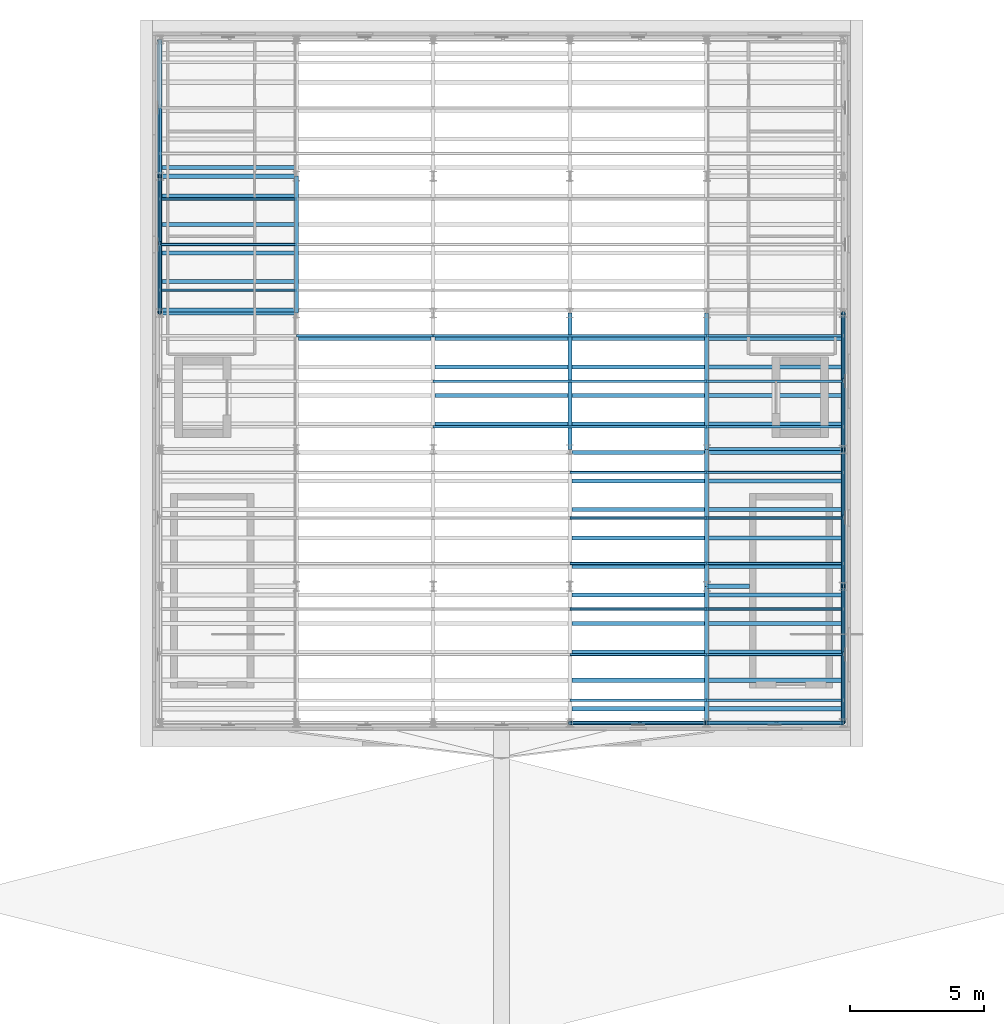
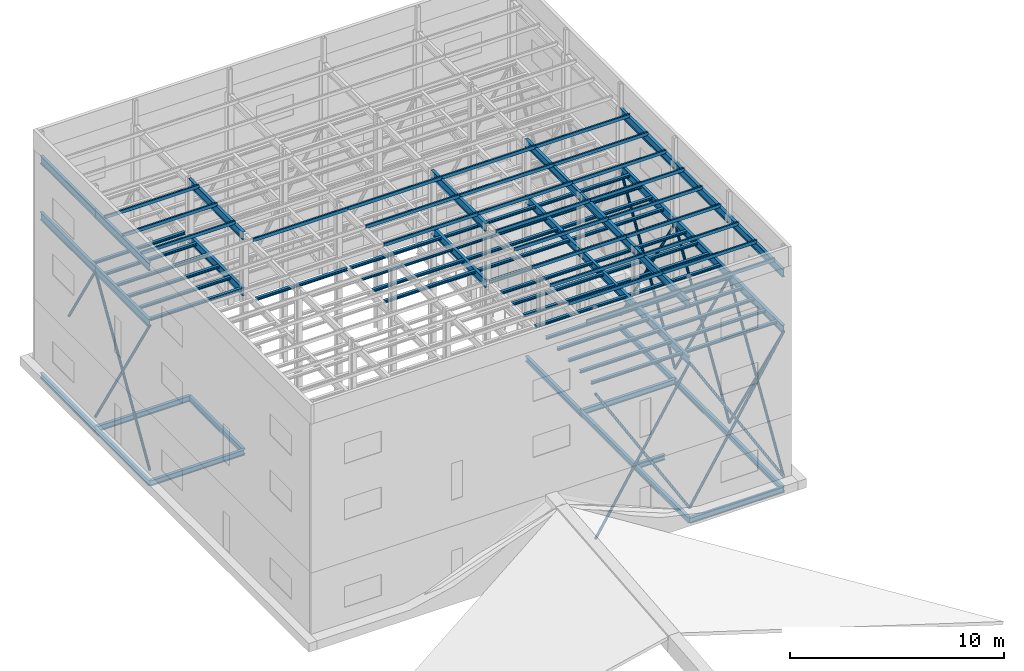
# One storey, part 4 of 22: 73 beams, 44 members.
"""IFC4 building model written with IfcOpenShell, lengths in metres."""

from ifc_helpers import new_model, si_unit, direction, frame, origin, origin_2d, place, context, subcontext, project, spatial, hollow_rectangle, hollow_circle, i_section, extrude, material, material_profile, profile_set, type_object, element, save


model = new_model("IFC4")

# Units and contexts
model_context = context("Model", 3, precision=1e-05, world=origin(), true_north=direction((0.0, 1.0)))
body_context = subcontext(model_context, "Body", "Model", "MODEL_VIEW")
ifc_project = project(units=[si_unit("LENGTHUNIT", "METRE"), si_unit("AREAUNIT", "SQUARE_METRE"), si_unit("VOLUMEUNIT", "CUBIC_METRE"), si_unit("PLANEANGLEUNIT", "RADIAN"), si_unit("MASSUNIT", "GRAM", prefix="KILO")], contexts=[model_context])

# Site, building, storey
site_placement = place(None, origin())
site = spatial("IfcSite", under=ifc_project, at=site_placement, CompositionType="ELEMENT")
building_placement = place(site_placement, origin())
building = spatial("IfcBuilding", under=site, at=building_placement, Name="Tide Square Theatres", CompositionType="ELEMENT")
storey_placement = place(building_placement, frame((0.0, 0.0, 24.0)))
storey = spatial("IfcBuildingStorey", under=building, at=storey_placement, Name="L05", CompositionType="ELEMENT", Elevation=24.0)

# Beams
ifc_material_1 = material(Name="Steel ASTM A572 Grade 50", Category="steel")
ifc_material_profile_1 = material_profile(ifc_material_1, i_section(OverallWidth=0.1650390625, OverallDepth=0.31005859375, WebThickness=0.005859375, FlangeThickness=0.009765625, FilletRadius=0.010009765625, at=origin_2d()))
ifc_profile_set_1 = profile_set([ifc_material_profile_1], Name="Steel ASTM A572 Grade 50")
beam_type_1 = type_object("IfcBeamType", Name="Steel beam W 310 x 38.7", PredefinedType="BEAM", material=ifc_profile_set_1)
for number, where, z_axis, x_axis, name in (
    (1, (71.27587890625, 71.544921875, -0.35498046875), (0.0, 1.0, 0.0), (-1.0, 0.0, 0.0), "Fly gallery beam"),
    (2, (71.27587890625, 76.634521484375, -0.35498046875), (0.0, 1.0, 0.0), (-1.0, 0.0, 0.0), "Fly gallery beam"),
    (3, (76.365478515625, 71.544921875, -0.35498046875), (0.0, 1.0, 0.0), (-1.0, 0.0, 0.0), "Fly gallery beam"),
    (4, (71.27587890625, 71.544921875, -0.35498046875), (1.0, 0.0, 0.0), (0.0, 1.0, 0.0), "Fly gallery cross beam"),
    (5, (71.27587890625, 76.634521484375, -0.35498046875), (1.0, 0.0, 0.0), (0.0, 1.0, 0.0), "Fly gallery cross beam"),
    (6, (91.634521484375, 56.27587890625, -0.35498046875), (0.0, 1.0, 0.0), (-1.0, 0.0, 0.0), "Fly gallery beam"),
    (7, (91.634521484375, 61.365478515625, -0.35498046875), (0.0, 1.0, 0.0), (-1.0, 0.0, 0.0), "Fly gallery beam"),
):
    element("IfcBeam", number, at=place(storey_placement, frame(where, z_axis=z_axis, x_axis=x_axis)), inside=storey, type_object=beam_type_1, Name=name, PredefinedType="BEAM", context=body_context, shape_type="SweptSolid", body=[
        extrude(i_section(OverallWidth=0.1650390625, OverallDepth=0.31005859375, WebThickness=0.005859375, FlangeThickness=0.009765625, FilletRadius=0.010009765625, at=origin_2d()), origin(), (0.0, 0.0, 1.0), 5.089599609375),
    ])
beam_1_placement = place(storey_placement, frame((91.634521484375, 66.455078125, -0.35498046875), z_axis=(0.0, 1.0, 0.0), x_axis=(-1.0, 0.0, 0.0)))
element("IfcBeam", 8, at=beam_1_placement, inside=storey, type_object=beam_type_1, Name="Fly gallery beam", PredefinedType="BEAM", context=body_context, shape_type="SweptSolid", body=[
    extrude(i_section(OverallWidth=0.1650390625, OverallDepth=0.31005859375, WebThickness=0.005859375, FlangeThickness=0.009765625, FilletRadius=0.010009765625, at=origin_2d()), origin(), (0.0, 0.0, 1.0), 5.08984375),
])
for number, where, z_axis, x_axis, name in (
    (9, (96.72412109375, 56.27587890625, -0.35498046875), (0.0, 1.0, 0.0), (-1.0, 0.0, 0.0), "Fly gallery beam"),
    (10, (96.72412109375, 61.365478515625, -0.35498046875), (0.0, 1.0, 0.0), (-1.0, 0.0, 0.0), "Fly gallery beam"),
):
    element("IfcBeam", number, at=place(storey_placement, frame(where, z_axis=z_axis, x_axis=x_axis)), inside=storey, type_object=beam_type_1, Name=name, PredefinedType="BEAM", context=body_context, shape_type="SweptSolid", body=[
        extrude(i_section(OverallWidth=0.1650390625, OverallDepth=0.31005859375, WebThickness=0.005859375, FlangeThickness=0.009765625, FilletRadius=0.010009765625, at=origin_2d()), origin(), (0.0, 0.0, 1.0), 5.089599609375),
    ])
beam_2_placement = place(storey_placement, frame((96.72412109375, 66.455078125, -0.35498046875), z_axis=(0.0, 1.0, 0.0), x_axis=(-1.0, 0.0, 0.0)))
element("IfcBeam", 11, at=beam_2_placement, inside=storey, type_object=beam_type_1, Name="Fly gallery beam", PredefinedType="BEAM", context=body_context, shape_type="SweptSolid", body=[
    extrude(i_section(OverallWidth=0.1650390625, OverallDepth=0.31005859375, WebThickness=0.005859375, FlangeThickness=0.009765625, FilletRadius=0.010009765625, at=origin_2d()), origin(), (0.0, 0.0, 1.0), 5.08984375),
])
beam_3_placement = place(storey_placement, frame((91.634521484375, 56.27587890625, -0.35498046875), z_axis=(1.0, 0.0, 0.0), x_axis=(0.0, 1.0, 0.0)))
element("IfcBeam", 12, at=beam_3_placement, inside=storey, type_object=beam_type_1, Name="Fly gallery cross beam", PredefinedType="BEAM", context=body_context, shape_type="SweptSolid", body=[
    extrude(i_section(OverallWidth=0.1650390625, OverallDepth=0.31005859375, WebThickness=0.005859375, FlangeThickness=0.009765625, FilletRadius=0.010009765625, at=origin_2d()), origin(), (0.0, 0.0, 1.0), 5.089599609375),
])
beam_4_placement = place(storey_placement, frame((91.634521484375, 61.365478515625, -0.35498046875), z_axis=(1.0, 0.0, 0.0), x_axis=(0.0, 1.0, 0.0)))
element("IfcBeam", 13, at=beam_4_placement, inside=storey, type_object=beam_type_1, Name="Fly gallery cross beam", PredefinedType="BEAM", context=body_context, shape_type="SweptSolid", body=[
    extrude(i_section(OverallWidth=0.1650390625, OverallDepth=0.31005859375, WebThickness=0.005859375, FlangeThickness=0.009765625, FilletRadius=0.010009765625, at=origin_2d()), origin(), (0.0, 0.0, 1.0), 1.589599609375),
])
beam_5_placement = place(storey_placement, frame((91.634521484375, 66.455078125, -0.35498046875), z_axis=(1.0, 0.0, 0.0), x_axis=(0.0, 1.0, 0.0)))
element("IfcBeam", 14, at=beam_5_placement, inside=storey, type_object=beam_type_1, Name="Fly gallery cross beam", PredefinedType="BEAM", context=body_context, shape_type="SweptSolid", body=[
    extrude(i_section(OverallWidth=0.1650390625, OverallDepth=0.31005859375, WebThickness=0.005859375, FlangeThickness=0.009765625, FilletRadius=0.010009765625, at=origin_2d()), origin(), (0.0, 0.0, 1.0), 5.089599609375),
])
ifc_material_2 = material(Name="Steel ASTM A572 Grade 50", Category="steel")
ifc_material_profile_2 = material_profile(ifc_material_2, i_section(OverallWidth=0.152099609375, OverallDepth=0.449951171875, WebThickness=0.007568359375, FlangeThickness=0.0107421875, FilletRadius=0.011962890625, at=origin_2d()))
ifc_profile_set_2 = profile_set([ifc_material_profile_2], Name="Steel ASTM A572 Grade 50")
beam_type_2 = type_object("IfcBeamType", Name="Steel beam W 460 x 52.0", PredefinedType="BEAM", material=ifc_profile_set_2)
for number, where, z_axis, x_axis, name in (
    (15, (71.27587890625, 71.544921875, 8.77490234375), (0.0, 1.0, 0.0), (-1.0, 0.0, 0.0), "Gridiron beam"),
    (16, (71.27587890625, 76.634521484375, 8.77490234375), (0.0, 1.0, 0.0), (-1.0, 0.0, 0.0), "Gridiron beam"),
    (17, (76.365478515625, 71.544921875, 8.77490234375), (0.0, 1.0, 0.0), (-1.0, 0.0, 0.0), "Gridiron beam"),
):
    element("IfcBeam", number, at=place(storey_placement, frame(where, z_axis=z_axis, x_axis=x_axis)), inside=storey, type_object=beam_type_2, Name=name, PredefinedType="BEAM", context=body_context, shape_type="SweptSolid", body=[
        extrude(i_section(OverallWidth=0.152099609375, OverallDepth=0.449951171875, WebThickness=0.007568359375, FlangeThickness=0.0107421875, FilletRadius=0.011962890625, at=origin_2d()), origin(), (0.0, 0.0, 1.0), 5.089599609375),
    ])
beam_6_placement = place(storey_placement, frame((86.544921875, 66.455078125, 8.77490234375), z_axis=(0.0, 1.0, 0.0), x_axis=(-1.0, 0.0, 0.0)))
element("IfcBeam", 18, at=beam_6_placement, inside=storey, type_object=beam_type_2, Name="Gridiron beam", PredefinedType="BEAM", context=body_context, shape_type="SweptSolid", body=[
    extrude(i_section(OverallWidth=0.152099609375, OverallDepth=0.449951171875, WebThickness=0.007568359375, FlangeThickness=0.0107421875, FilletRadius=0.011962890625, at=origin_2d()), origin(), (0.0, 0.0, 1.0), 5.08984375),
])
for number, where, z_axis, x_axis, name in (
    (19, (91.634521484375, 56.27587890625, 8.77490234375), (0.0, 1.0, 0.0), (-1.0, 0.0, 0.0), "Gridiron beam"),
    (20, (91.634521484375, 61.365478515625, 8.77490234375), (0.0, 1.0, 0.0), (-1.0, 0.0, 0.0), "Gridiron beam"),
):
    element("IfcBeam", number, at=place(storey_placement, frame(where, z_axis=z_axis, x_axis=x_axis)), inside=storey, type_object=beam_type_2, Name=name, PredefinedType="BEAM", context=body_context, shape_type="SweptSolid", body=[
        extrude(i_section(OverallWidth=0.152099609375, OverallDepth=0.449951171875, WebThickness=0.007568359375, FlangeThickness=0.0107421875, FilletRadius=0.011962890625, at=origin_2d()), origin(), (0.0, 0.0, 1.0), 5.089599609375),
    ])
beam_7_placement = place(storey_placement, frame((91.634521484375, 66.455078125, 8.77490234375), z_axis=(0.0, 1.0, 0.0), x_axis=(-1.0, 0.0, 0.0)))
element("IfcBeam", 21, at=beam_7_placement, inside=storey, type_object=beam_type_2, Name="Gridiron beam", PredefinedType="BEAM", context=body_context, shape_type="SweptSolid", body=[
    extrude(i_section(OverallWidth=0.152099609375, OverallDepth=0.449951171875, WebThickness=0.007568359375, FlangeThickness=0.0107421875, FilletRadius=0.011962890625, at=origin_2d()), origin(), (0.0, 0.0, 1.0), 5.08984375),
])
for number, where, z_axis, x_axis, name in (
    (22, (96.72412109375, 56.27587890625, 8.77490234375), (0.0, 1.0, 0.0), (-1.0, 0.0, 0.0), "Gridiron beam"),
    (23, (96.72412109375, 61.365478515625, 8.77490234375), (0.0, 1.0, 0.0), (-1.0, 0.0, 0.0), "Gridiron beam"),
):
    element("IfcBeam", number, at=place(storey_placement, frame(where, z_axis=z_axis, x_axis=x_axis)), inside=storey, type_object=beam_type_2, Name=name, PredefinedType="BEAM", context=body_context, shape_type="SweptSolid", body=[
        extrude(i_section(OverallWidth=0.152099609375, OverallDepth=0.449951171875, WebThickness=0.007568359375, FlangeThickness=0.0107421875, FilletRadius=0.011962890625, at=origin_2d()), origin(), (0.0, 0.0, 1.0), 5.089599609375),
    ])
beam_8_placement = place(storey_placement, frame((96.72412109375, 66.455078125, 8.77490234375), z_axis=(0.0, 1.0, 0.0), x_axis=(-1.0, 0.0, 0.0)))
element("IfcBeam", 24, at=beam_8_placement, inside=storey, type_object=beam_type_2, Name="Gridiron beam", PredefinedType="BEAM", context=body_context, shape_type="SweptSolid", body=[
    extrude(i_section(OverallWidth=0.152099609375, OverallDepth=0.449951171875, WebThickness=0.007568359375, FlangeThickness=0.0107421875, FilletRadius=0.011962890625, at=origin_2d()), origin(), (0.0, 0.0, 1.0), 5.08984375),
])
for number, where, z_axis, x_axis, name in (
    (25, (71.27587890625, 71.544921875, 11.985107421875), (0.0, 1.0, 0.0), (-1.0, 0.0, 0.0), "Tower roof beam"),
    (26, (71.27587890625, 76.634521484375, 11.985107421875), (0.0, 1.0, 0.0), (-1.0, 0.0, 0.0), "Tower roof beam"),
    (27, (76.365478515625, 71.544921875, 11.985107421875), (0.0, 1.0, 0.0), (-1.0, 0.0, 0.0), "Tower roof beam"),
):
    element("IfcBeam", number, at=place(storey_placement, frame(where, z_axis=z_axis, x_axis=x_axis)), inside=storey, type_object=beam_type_2, Name=name, PredefinedType="BEAM", context=body_context, shape_type="SweptSolid", body=[
        extrude(i_section(OverallWidth=0.152099609375, OverallDepth=0.449951171875, WebThickness=0.007568359375, FlangeThickness=0.0107421875, FilletRadius=0.011962890625, at=origin_2d()), origin(), (0.0, 0.0, 1.0), 5.089599609375),
    ])
beam_9_placement = place(storey_placement, frame((86.544921875, 66.455078125, 11.985107421875), z_axis=(0.0, 1.0, 0.0), x_axis=(-1.0, 0.0, 0.0)))
element("IfcBeam", 28, at=beam_9_placement, inside=storey, type_object=beam_type_2, Name="Tower roof beam", PredefinedType="BEAM", context=body_context, shape_type="SweptSolid", body=[
    extrude(i_section(OverallWidth=0.152099609375, OverallDepth=0.449951171875, WebThickness=0.007568359375, FlangeThickness=0.0107421875, FilletRadius=0.011962890625, at=origin_2d()), origin(), (0.0, 0.0, 1.0), 5.08984375),
])
for number, where, z_axis, x_axis, name in (
    (29, (91.634521484375, 56.27587890625, 11.985107421875), (0.0, 1.0, 0.0), (-1.0, 0.0, 0.0), "Tower roof beam"),
    (30, (91.634521484375, 61.365478515625, 11.985107421875), (0.0, 1.0, 0.0), (-1.0, 0.0, 0.0), "Tower roof beam"),
):
    element("IfcBeam", number, at=place(storey_placement, frame(where, z_axis=z_axis, x_axis=x_axis)), inside=storey, type_object=beam_type_2, Name=name, PredefinedType="BEAM", context=body_context, shape_type="SweptSolid", body=[
        extrude(i_section(OverallWidth=0.152099609375, OverallDepth=0.449951171875, WebThickness=0.007568359375, FlangeThickness=0.0107421875, FilletRadius=0.011962890625, at=origin_2d()), origin(), (0.0, 0.0, 1.0), 5.089599609375),
    ])
beam_10_placement = place(storey_placement, frame((91.634521484375, 66.455078125, 11.985107421875), z_axis=(0.0, 1.0, 0.0), x_axis=(-1.0, 0.0, 0.0)))
element("IfcBeam", 31, at=beam_10_placement, inside=storey, type_object=beam_type_2, Name="Tower roof beam", PredefinedType="BEAM", context=body_context, shape_type="SweptSolid", body=[
    extrude(i_section(OverallWidth=0.152099609375, OverallDepth=0.449951171875, WebThickness=0.007568359375, FlangeThickness=0.0107421875, FilletRadius=0.011962890625, at=origin_2d()), origin(), (0.0, 0.0, 1.0), 5.08984375),
])
for number, where, z_axis, x_axis, name in (
    (32, (96.72412109375, 56.27587890625, 11.985107421875), (0.0, 1.0, 0.0), (-1.0, 0.0, 0.0), "Tower roof beam"),
    (33, (96.72412109375, 61.365478515625, 11.985107421875), (0.0, 1.0, 0.0), (-1.0, 0.0, 0.0), "Tower roof beam"),
):
    element("IfcBeam", number, at=place(storey_placement, frame(where, z_axis=z_axis, x_axis=x_axis)), inside=storey, type_object=beam_type_2, Name=name, PredefinedType="BEAM", context=body_context, shape_type="SweptSolid", body=[
        extrude(i_section(OverallWidth=0.152099609375, OverallDepth=0.449951171875, WebThickness=0.007568359375, FlangeThickness=0.0107421875, FilletRadius=0.011962890625, at=origin_2d()), origin(), (0.0, 0.0, 1.0), 5.089599609375),
    ])
beam_11_placement = place(storey_placement, frame((96.72412109375, 66.455078125, 11.985107421875), z_axis=(0.0, 1.0, 0.0), x_axis=(-1.0, 0.0, 0.0)))
element("IfcBeam", 34, at=beam_11_placement, inside=storey, type_object=beam_type_2, Name="Tower roof beam", PredefinedType="BEAM", context=body_context, shape_type="SweptSolid", body=[
    extrude(i_section(OverallWidth=0.152099609375, OverallDepth=0.449951171875, WebThickness=0.007568359375, FlangeThickness=0.0107421875, FilletRadius=0.011962890625, at=origin_2d()), origin(), (0.0, 0.0, 1.0), 5.08984375),
])

# Members
ifc_material_3 = material(Name="Steel ASTM A500 Grade C", Category="steel")
ifc_material_profile_3 = material_profile(ifc_material_3, hollow_circle(Radius=0.070556640625, WallThickness=0.00634765625, at=origin_2d()))
ifc_profile_set_3 = profile_set([ifc_material_profile_3], Name="Steel ASTM A500 Grade C")
member_type_1 = type_object("IfcMemberType", Name="Steel brace CHS 141.3 x 6.4", PredefinedType="BRACE", material=ifc_profile_set_3)
member_1_placement = place(storey_placement, frame((86.544921875, 56.27587890625, 0.35009765625), z_axis=(0.522757852617, 0.0, 0.852481218284), x_axis=(0.0, 1.0, 0.0)))
element("IfcMember", 35, at=member_1_placement, inside=storey, type_object=member_type_1, Name="Fly tower brace", PredefinedType="BRACE", context=body_context, shape_type="SweptSolid", body=[
    extrude(hollow_circle(Radius=0.070556640625, WallThickness=0.00634765625, at=origin_2d()), origin(), (0.0, 0.0, 1.0), 9.736083984375),
])
member_2_placement = place(storey_placement, frame((91.634521484375, 56.27587890625, 0.35009765625), z_axis=(-0.522761523551, 0.0, 0.852478967186), x_axis=(0.0, -1.0, 0.0)))
element("IfcMember", 36, at=member_2_placement, inside=storey, type_object=member_type_1, Name="Fly tower brace", PredefinedType="BRACE", context=body_context, shape_type="SweptSolid", body=[
    extrude(hollow_circle(Radius=0.070556640625, WallThickness=0.00634765625, at=origin_2d()), origin(), (0.0, 0.0, 1.0), 4.76416015625),
])
member_3_placement = place(storey_placement, frame((89.03515625, 56.27587890625, 4.588623046875), z_axis=(-0.522724280464, 0.0, 0.852501804463), x_axis=(0.0, -1.0, 0.0)))
element("IfcMember", 37, at=member_3_placement, inside=storey, type_object=member_type_1, Name="Fly tower brace", PredefinedType="BRACE", context=body_context, shape_type="SweptSolid", body=[
    extrude(hollow_circle(Radius=0.070556640625, WallThickness=0.00634765625, at=origin_2d()), origin(), (0.0, 0.0, 1.0), 4.763916015625),
])
member_4_placement = place(storey_placement, frame((91.634521484375, 56.27587890625, 0.35009765625), z_axis=(0.522757852617, 0.0, 0.852481218284), x_axis=(0.0, 1.0, 0.0)))
element("IfcMember", 38, at=member_4_placement, inside=storey, type_object=member_type_1, Name="Fly tower brace", PredefinedType="BRACE", context=body_context, shape_type="SweptSolid", body=[
    extrude(hollow_circle(Radius=0.070556640625, WallThickness=0.00634765625, at=origin_2d()), origin(), (0.0, 0.0, 1.0), 9.736083984375),
])
member_5_placement = place(storey_placement, frame((96.72412109375, 56.27587890625, 0.35009765625), z_axis=(-0.522761523551, 0.0, 0.852478967186), x_axis=(0.0, -1.0, 0.0)))
element("IfcMember", 39, at=member_5_placement, inside=storey, type_object=member_type_1, Name="Fly tower brace", PredefinedType="BRACE", context=body_context, shape_type="SweptSolid", body=[
    extrude(hollow_circle(Radius=0.070556640625, WallThickness=0.00634765625, at=origin_2d()), origin(), (0.0, 0.0, 1.0), 4.76416015625),
])
member_6_placement = place(storey_placement, frame((94.124755859375, 56.27587890625, 4.588623046875), z_axis=(-0.522724280464, 0.0, 0.852501804463), x_axis=(0.0, -1.0, 0.0)))
element("IfcMember", 40, at=member_6_placement, inside=storey, type_object=member_type_1, Name="Fly tower brace", PredefinedType="BRACE", context=body_context, shape_type="SweptSolid", body=[
    extrude(hollow_circle(Radius=0.070556640625, WallThickness=0.00634765625, at=origin_2d()), origin(), (0.0, 0.0, 1.0), 4.763916015625),
])
member_7_placement = place(storey_placement, frame((71.27587890625, 71.544921875, 0.35009765625), z_axis=(0.0, 0.522757852617, 0.852481218284), x_axis=(-1.0, 0.0, 0.0)))
element("IfcMember", 41, at=member_7_placement, inside=storey, type_object=member_type_1, Name="Fly tower brace", PredefinedType="BRACE", context=body_context, shape_type="SweptSolid", body=[
    extrude(hollow_circle(Radius=0.070556640625, WallThickness=0.00634765625, at=origin_2d()), origin(), (0.0, 0.0, 1.0), 9.736083984375),
])
member_8_placement = place(storey_placement, frame((71.27587890625, 76.634521484375, 0.35009765625), z_axis=(0.0, -0.522761523551, 0.852478967186), x_axis=(1.0, 0.0, 0.0)))
element("IfcMember", 42, at=member_8_placement, inside=storey, type_object=member_type_1, Name="Fly tower brace", PredefinedType="BRACE", context=body_context, shape_type="SweptSolid", body=[
    extrude(hollow_circle(Radius=0.070556640625, WallThickness=0.00634765625, at=origin_2d()), origin(), (0.0, 0.0, 1.0), 4.76416015625),
])
for number, where, z_axis, x_axis, name in (
    (43, (71.27587890625, 74.03515625, 4.588623046875), (0.0, -0.522724280464, 0.852501804463), (1.0, 0.0, 0.0), "Fly tower brace"),
    (44, (71.27587890625, 79.124755859375, 4.588623046875), (0.0, -0.522724280464, 0.852501804463), (1.0, 0.0, 0.0), "Fly tower brace"),
):
    element("IfcMember", number, at=place(storey_placement, frame(where, z_axis=z_axis, x_axis=x_axis)), inside=storey, type_object=member_type_1, Name=name, PredefinedType="BRACE", context=body_context, shape_type="SweptSolid", body=[
        extrude(hollow_circle(Radius=0.070556640625, WallThickness=0.00634765625, at=origin_2d()), origin(), (0.0, 0.0, 1.0), 4.763916015625),
    ])
member_9_placement = place(storey_placement, frame((96.72412109375, 56.27587890625, 0.35009765625), z_axis=(0.0, 0.522757852617, 0.852481218284), x_axis=(-1.0, 0.0, 0.0)))
element("IfcMember", 45, at=member_9_placement, inside=storey, type_object=member_type_1, Name="Fly tower brace", PredefinedType="BRACE", context=body_context, shape_type="SweptSolid", body=[
    extrude(hollow_circle(Radius=0.070556640625, WallThickness=0.00634765625, at=origin_2d()), origin(), (0.0, 0.0, 1.0), 9.736083984375),
])
member_10_placement = place(storey_placement, frame((96.72412109375, 61.365478515625, 0.35009765625), z_axis=(0.0, -0.522724280464, 0.852501804463), x_axis=(1.0, 0.0, 0.0)))
element("IfcMember", 46, at=member_10_placement, inside=storey, type_object=member_type_1, Name="Fly tower brace", PredefinedType="BRACE", context=body_context, shape_type="SweptSolid", body=[
    extrude(hollow_circle(Radius=0.070556640625, WallThickness=0.00634765625, at=origin_2d()), origin(), (0.0, 0.0, 1.0), 4.763916015625),
])
member_11_placement = place(storey_placement, frame((96.72412109375, 58.766357421875, 4.588623046875), z_axis=(0.0, -0.522761523551, 0.852478967186), x_axis=(1.0, 0.0, 0.0)))
element("IfcMember", 47, at=member_11_placement, inside=storey, type_object=member_type_1, Name="Fly tower brace", PredefinedType="BRACE", context=body_context, shape_type="SweptSolid", body=[
    extrude(hollow_circle(Radius=0.070556640625, WallThickness=0.00634765625, at=origin_2d()), origin(), (0.0, 0.0, 1.0), 4.76416015625),
])
member_12_placement = place(storey_placement, frame((96.72412109375, 61.365478515625, 0.35009765625), z_axis=(0.0, 0.522757852617, 0.852481218284), x_axis=(-1.0, 0.0, 0.0)))
element("IfcMember", 48, at=member_12_placement, inside=storey, type_object=member_type_1, Name="Fly tower brace", PredefinedType="BRACE", context=body_context, shape_type="SweptSolid", body=[
    extrude(hollow_circle(Radius=0.070556640625, WallThickness=0.00634765625, at=origin_2d()), origin(), (0.0, 0.0, 1.0), 9.736083984375),
])
member_13_placement = place(storey_placement, frame((96.72412109375, 66.455078125, 0.35009765625), z_axis=(0.0, -0.522724280464, 0.852501804463), x_axis=(1.0, 0.0, 0.0)))
element("IfcMember", 49, at=member_13_placement, inside=storey, type_object=member_type_1, Name="Fly tower brace", PredefinedType="BRACE", context=body_context, shape_type="SweptSolid", body=[
    extrude(hollow_circle(Radius=0.070556640625, WallThickness=0.00634765625, at=origin_2d()), origin(), (0.0, 0.0, 1.0), 4.763916015625),
])
member_14_placement = place(storey_placement, frame((96.72412109375, 63.85595703125, 4.588623046875), z_axis=(0.0, -0.522761523551, 0.852478967186), x_axis=(1.0, 0.0, 0.0)))
element("IfcMember", 50, at=member_14_placement, inside=storey, type_object=member_type_1, Name="Fly tower brace", PredefinedType="BRACE", context=body_context, shape_type="SweptSolid", body=[
    extrude(hollow_circle(Radius=0.070556640625, WallThickness=0.00634765625, at=origin_2d()), origin(), (0.0, 0.0, 1.0), 4.76416015625),
])
member_15_placement = place(storey_placement, frame((96.72412109375, 66.455078125, 0.35009765625), z_axis=(0.0, 0.522776075542, 0.852470043368), x_axis=(-1.0, 0.0, 0.0)))
element("IfcMember", 51, at=member_15_placement, inside=storey, type_object=member_type_1, Name="Fly tower brace", PredefinedType="BRACE", context=body_context, shape_type="SweptSolid", body=[
    extrude(hollow_circle(Radius=0.070556640625, WallThickness=0.00634765625, at=origin_2d()), origin(), (0.0, 0.0, 1.0), 9.736083984375),
])
for number, where, z_axis, x_axis, name in (
    (52, (96.72412109375, 71.544921875, 0.35009765625), (0.0, -0.522761523551, 0.852478967186), (1.0, 0.0, 0.0), "Fly tower brace"),
    (53, (96.72412109375, 68.945556640625, 4.588623046875), (0.0, -0.522761523551, 0.852478967186), (1.0, 0.0, 0.0), "Fly tower brace"),
):
    element("IfcMember", number, at=place(storey_placement, frame(where, z_axis=z_axis, x_axis=x_axis)), inside=storey, type_object=member_type_1, Name=name, PredefinedType="BRACE", context=body_context, shape_type="SweptSolid", body=[
        extrude(hollow_circle(Radius=0.070556640625, WallThickness=0.00634765625, at=origin_2d()), origin(), (0.0, 0.0, 1.0), 4.76416015625),
    ])

# Beams
ifc_material_4 = material(Name="Steel ASTM A572 Grade 50", Category="steel")
ifc_material_profile_4 = material_profile(ifc_material_4, i_section(OverallWidth=0.152099609375, OverallDepth=0.152099609375, WebThickness=0.005859375, FlangeThickness=0.006591796875, FilletRadius=0.010009765625, at=origin_2d()))
ifc_profile_set_4 = profile_set([ifc_material_profile_4], Name="Steel ASTM A572 Grade 50")
beam_type_3 = type_object("IfcBeamType", Name="Steel joist W 150 x 22.5", PredefinedType="JOIST", material=ifc_profile_set_4)
for number, where, z_axis, x_axis, name in (
    (54, (71.35205078125, 71.65087890625, 8.924072265625), (1.0, 0.0, 0.0), (0.0, 1.0, 0.0), "Gridiron joist"),
    (55, (71.35205078125, 72.711181640625, 8.924072265625), (1.0, 0.0, 0.0), (0.0, 1.0, 0.0), "Gridiron joist"),
    (56, (71.35205078125, 73.771484375, 8.924072265625), (1.0, 0.0, 0.0), (0.0, 1.0, 0.0), "Gridiron joist"),
    (57, (71.35205078125, 74.831787109375, 8.924072265625), (1.0, 0.0, 0.0), (0.0, 1.0, 0.0), "Gridiron joist"),
    (58, (71.35205078125, 75.89208984375, 8.924072265625), (1.0, 0.0, 0.0), (0.0, 1.0, 0.0), "Gridiron joist"),
    (59, (71.35205078125, 76.952392578125, 8.924072265625), (1.0, 0.0, 0.0), (0.0, 1.0, 0.0), "Gridiron joist"),
    (60, (76.441650390625, 70.590576171875, 8.924072265625), (1.0, 0.0, 0.0), (0.0, 1.0, 0.0), "Gridiron joist"),
    (61, (81.53125, 67.409423828125, 8.924072265625), (1.0, 0.0, 0.0), (0.0, 1.0, 0.0), "Gridiron joist"),
    (62, (81.53125, 68.4697265625, 8.924072265625), (1.0, 0.0, 0.0), (0.0, 1.0, 0.0), "Gridiron joist"),
    (63, (81.53125, 69.5302734375, 8.924072265625), (1.0, 0.0, 0.0), (0.0, 1.0, 0.0), "Gridiron joist"),
    (64, (81.53125, 70.590576171875, 8.924072265625), (1.0, 0.0, 0.0), (0.0, 1.0, 0.0), "Gridiron joist"),
    (65, (86.620849609375, 56.80615234375, 8.924072265625), (1.0, 0.0, 0.0), (0.0, 1.0, 0.0), "Gridiron joist"),
    (66, (86.620849609375, 57.866455078125, 8.924072265625), (1.0, 0.0, 0.0), (0.0, 1.0, 0.0), "Gridiron joist"),
    (67, (86.620849609375, 58.9267578125, 8.924072265625), (1.0, 0.0, 0.0), (0.0, 1.0, 0.0), "Gridiron joist"),
    (68, (86.620849609375, 59.9873046875, 8.924072265625), (1.0, 0.0, 0.0), (0.0, 1.0, 0.0), "Gridiron joist"),
    (69, (86.620849609375, 61.047607421875, 8.924072265625), (1.0, 0.0, 0.0), (0.0, 1.0, 0.0), "Gridiron joist"),
    (70, (86.620849609375, 62.10791015625, 8.924072265625), (1.0, 0.0, 0.0), (0.0, 1.0, 0.0), "Gridiron joist"),
    (71, (86.620849609375, 63.168212890625, 8.924072265625), (1.0, 0.0, 0.0), (0.0, 1.0, 0.0), "Gridiron joist"),
    (72, (86.620849609375, 64.228515625, 8.924072265625), (1.0, 0.0, 0.0), (0.0, 1.0, 0.0), "Gridiron joist"),
    (73, (86.620849609375, 65.288818359375, 8.924072265625), (1.0, 0.0, 0.0), (0.0, 1.0, 0.0), "Gridiron joist"),
    (74, (86.620849609375, 66.34912109375, 8.924072265625), (1.0, 0.0, 0.0), (0.0, 1.0, 0.0), "Gridiron joist"),
    (75, (86.620849609375, 67.409423828125, 8.924072265625), (1.0, 0.0, 0.0), (0.0, 1.0, 0.0), "Gridiron joist"),
    (76, (86.620849609375, 68.4697265625, 8.924072265625), (1.0, 0.0, 0.0), (0.0, 1.0, 0.0), "Gridiron joist"),
    (77, (86.620849609375, 69.5302734375, 8.924072265625), (1.0, 0.0, 0.0), (0.0, 1.0, 0.0), "Gridiron joist"),
    (78, (86.620849609375, 70.590576171875, 8.924072265625), (1.0, 0.0, 0.0), (0.0, 1.0, 0.0), "Gridiron joist"),
    (79, (91.71044921875, 56.80615234375, 8.924072265625), (1.0, 0.0, 0.0), (0.0, 1.0, 0.0), "Gridiron joist"),
    (80, (91.71044921875, 57.866455078125, 8.924072265625), (1.0, 0.0, 0.0), (0.0, 1.0, 0.0), "Gridiron joist"),
    (81, (91.71044921875, 58.9267578125, 8.924072265625), (1.0, 0.0, 0.0), (0.0, 1.0, 0.0), "Gridiron joist"),
    (82, (91.71044921875, 59.9873046875, 8.924072265625), (1.0, 0.0, 0.0), (0.0, 1.0, 0.0), "Gridiron joist"),
    (83, (91.71044921875, 61.047607421875, 8.924072265625), (1.0, 0.0, 0.0), (0.0, 1.0, 0.0), "Gridiron joist"),
    (84, (91.71044921875, 62.10791015625, 8.924072265625), (1.0, 0.0, 0.0), (0.0, 1.0, 0.0), "Gridiron joist"),
    (85, (91.71044921875, 63.168212890625, 8.924072265625), (1.0, 0.0, 0.0), (0.0, 1.0, 0.0), "Gridiron joist"),
    (86, (91.71044921875, 64.228515625, 8.924072265625), (1.0, 0.0, 0.0), (0.0, 1.0, 0.0), "Gridiron joist"),
    (87, (91.71044921875, 65.288818359375, 8.924072265625), (1.0, 0.0, 0.0), (0.0, 1.0, 0.0), "Gridiron joist"),
    (88, (91.71044921875, 66.34912109375, 8.924072265625), (1.0, 0.0, 0.0), (0.0, 1.0, 0.0), "Gridiron joist"),
    (89, (91.71044921875, 67.409423828125, 8.924072265625), (1.0, 0.0, 0.0), (0.0, 1.0, 0.0), "Gridiron joist"),
    (90, (91.71044921875, 68.4697265625, 8.924072265625), (1.0, 0.0, 0.0), (0.0, 1.0, 0.0), "Gridiron joist"),
    (91, (91.71044921875, 69.5302734375, 8.924072265625), (1.0, 0.0, 0.0), (0.0, 1.0, 0.0), "Gridiron joist"),
    (92, (91.71044921875, 70.590576171875, 8.924072265625), (1.0, 0.0, 0.0), (0.0, 1.0, 0.0), "Gridiron joist"),
):
    element("IfcBeam", number, at=place(storey_placement, frame(where, z_axis=z_axis, x_axis=x_axis)), inside=storey, type_object=beam_type_3, Name=name, PredefinedType="JOIST", context=body_context, shape_type="SweptSolid", body=[
        extrude(i_section(OverallWidth=0.152099609375, OverallDepth=0.152099609375, WebThickness=0.005859375, FlangeThickness=0.006591796875, FilletRadius=0.010009765625, at=origin_2d()), origin(), (0.0, 0.0, 1.0), 4.9375),
    ])

# Members
ifc_material_5 = material(Name="Steel ASTM A500 Grade C", Category="steel")
ifc_material_profile_5 = material_profile(ifc_material_5, hollow_rectangle(XDim=0.10009765625, YDim=0.199951171875, WallThickness=0.008056640625, InnerFilletRadius=0.008056640625, OuterFilletRadius=0.01611328125, at=origin_2d()))
ifc_profile_set_5 = profile_set([ifc_material_profile_5], Name="Steel ASTM A500 Grade C")
member_type_2 = type_object("IfcMemberType", Name="Steel purlin RHS 200 x 100 x 8.0", PredefinedType="PURLIN", material=ifc_profile_set_5)
for number, where, z_axis, x_axis, name in (
    (93, (71.27587890625, 72.39306640625, 12.260009765625), (1.0, 0.0, 0.0), (0.0, 1.0, 0.0), "Tower roof purlin"),
    (94, (71.27587890625, 74.089599609375, 12.260009765625), (1.0, 0.0, 0.0), (0.0, 1.0, 0.0), "Tower roof purlin"),
    (95, (71.27587890625, 75.7861328125, 12.260009765625), (1.0, 0.0, 0.0), (0.0, 1.0, 0.0), "Tower roof purlin"),
    (96, (76.365478515625, 70.696533203125, 12.260009765625), (1.0, 0.0, 0.0), (0.0, 1.0, 0.0), "Tower roof purlin"),
):
    element("IfcMember", number, at=place(storey_placement, frame(where, z_axis=z_axis, x_axis=x_axis)), inside=storey, type_object=member_type_2, Name=name, PredefinedType="PURLIN", context=body_context, shape_type="SweptSolid", body=[
        extrude(hollow_rectangle(XDim=0.10009765625, YDim=0.199951171875, WallThickness=0.008056640625, InnerFilletRadius=0.008056640625, OuterFilletRadius=0.01611328125, at=origin_2d()), origin(), (0.0, 0.0, 1.0), 5.089599609375),
    ])
for number, where, z_axis, x_axis, name in (
    (97, (81.455078125, 67.303466796875, 12.260009765625), (1.0, 0.0, 0.0), (0.0, 1.0, 0.0), "Tower roof purlin"),
    (98, (81.455078125, 69.0, 12.260009765625), (1.0, 0.0, 0.0), (0.0, 1.0, 0.0), "Tower roof purlin"),
    (99, (81.455078125, 70.696533203125, 12.260009765625), (1.0, 0.0, 0.0), (0.0, 1.0, 0.0), "Tower roof purlin"),
):
    element("IfcMember", number, at=place(storey_placement, frame(where, z_axis=z_axis, x_axis=x_axis)), inside=storey, type_object=member_type_2, Name=name, PredefinedType="PURLIN", context=body_context, shape_type="SweptSolid", body=[
        extrude(hollow_rectangle(XDim=0.10009765625, YDim=0.199951171875, WallThickness=0.008056640625, InnerFilletRadius=0.008056640625, OuterFilletRadius=0.01611328125, at=origin_2d()), origin(), (0.0, 0.0, 1.0), 5.08984375),
    ])
for number, where, z_axis, x_axis, name in (
    (100, (86.544921875, 57.124267578125, 12.260009765625), (1.0, 0.0, 0.0), (0.0, 1.0, 0.0), "Tower roof purlin"),
    (101, (86.544921875, 58.82080078125, 12.260009765625), (1.0, 0.0, 0.0), (0.0, 1.0, 0.0), "Tower roof purlin"),
    (102, (86.544921875, 60.517333984375, 12.260009765625), (1.0, 0.0, 0.0), (0.0, 1.0, 0.0), "Tower roof purlin"),
    (103, (86.544921875, 62.2138671875, 12.260009765625), (1.0, 0.0, 0.0), (0.0, 1.0, 0.0), "Tower roof purlin"),
    (104, (86.544921875, 63.910400390625, 12.260009765625), (1.0, 0.0, 0.0), (0.0, 1.0, 0.0), "Tower roof purlin"),
    (105, (86.544921875, 65.60693359375, 12.260009765625), (1.0, 0.0, 0.0), (0.0, 1.0, 0.0), "Tower roof purlin"),
    (106, (86.544921875, 67.303466796875, 12.260009765625), (1.0, 0.0, 0.0), (0.0, 1.0, 0.0), "Tower roof purlin"),
    (107, (86.544921875, 69.0, 12.260009765625), (1.0, 0.0, 0.0), (0.0, 1.0, 0.0), "Tower roof purlin"),
    (108, (86.544921875, 70.696533203125, 12.260009765625), (1.0, 0.0, 0.0), (0.0, 1.0, 0.0), "Tower roof purlin"),
    (109, (91.634521484375, 57.124267578125, 12.260009765625), (1.0, 0.0, 0.0), (0.0, 1.0, 0.0), "Tower roof purlin"),
    (110, (91.634521484375, 58.82080078125, 12.260009765625), (1.0, 0.0, 0.0), (0.0, 1.0, 0.0), "Tower roof purlin"),
    (111, (91.634521484375, 60.517333984375, 12.260009765625), (1.0, 0.0, 0.0), (0.0, 1.0, 0.0), "Tower roof purlin"),
    (112, (91.634521484375, 62.2138671875, 12.260009765625), (1.0, 0.0, 0.0), (0.0, 1.0, 0.0), "Tower roof purlin"),
    (113, (91.634521484375, 63.910400390625, 12.260009765625), (1.0, 0.0, 0.0), (0.0, 1.0, 0.0), "Tower roof purlin"),
    (114, (91.634521484375, 65.60693359375, 12.260009765625), (1.0, 0.0, 0.0), (0.0, 1.0, 0.0), "Tower roof purlin"),
    (115, (91.634521484375, 67.303466796875, 12.260009765625), (1.0, 0.0, 0.0), (0.0, 1.0, 0.0), "Tower roof purlin"),
    (116, (91.634521484375, 69.0, 12.260009765625), (1.0, 0.0, 0.0), (0.0, 1.0, 0.0), "Tower roof purlin"),
    (117, (91.634521484375, 70.696533203125, 12.260009765625), (1.0, 0.0, 0.0), (0.0, 1.0, 0.0), "Tower roof purlin"),
):
    element("IfcMember", number, at=place(storey_placement, frame(where, z_axis=z_axis, x_axis=x_axis)), inside=storey, type_object=member_type_2, Name=name, PredefinedType="PURLIN", context=body_context, shape_type="SweptSolid", body=[
        extrude(hollow_rectangle(XDim=0.10009765625, YDim=0.199951171875, WallThickness=0.008056640625, InnerFilletRadius=0.008056640625, OuterFilletRadius=0.01611328125, at=origin_2d()), origin(), (0.0, 0.0, 1.0), 5.089599609375),
    ])

save(model, "model.ifc")
